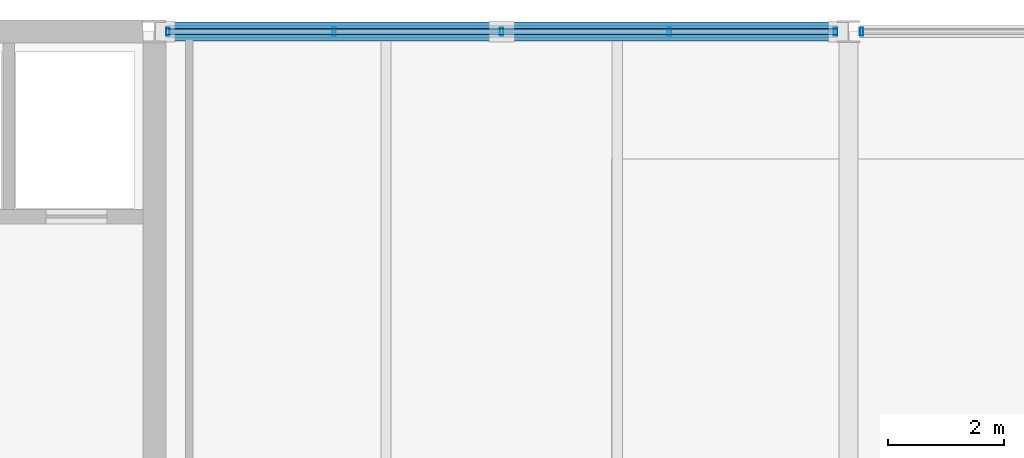
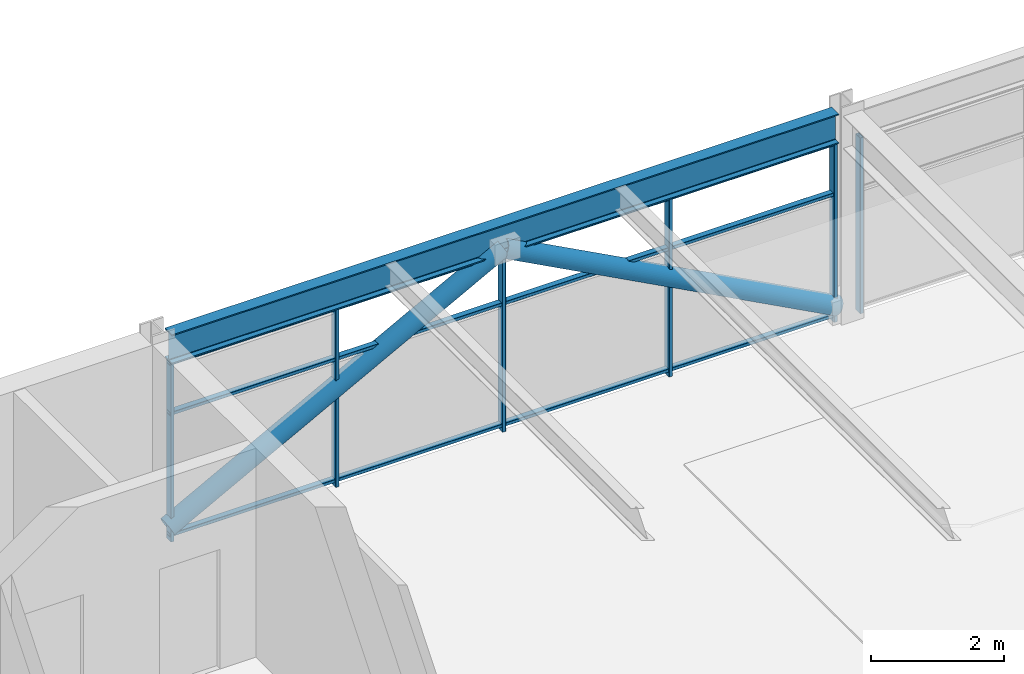
# One storey, part 39 of 52: 11 members, 1 beam, 2 elements without a shape of their own.
"""IFC4 building model written with IfcOpenShell, lengths in metres."""

import ifcopenshell
import ifcopenshell.guid

model = None  # the IFC model being written
_history = None  # IfcOwnerHistory: only IFC2X3 demands one
_inside = {}  # id of a spatial element -> (the spatial element, [elements in it])
_under = {}  # id of a project, library or spatial element -> (it, [spatial elements below it])
_declared = {}  # id of a project -> (the project, [libraries it declares])
_typed = {}  # id of a type object -> (the type object, [elements of that type])
_made_of = {}  # id of a material, layer set ... -> (it, [elements and type objects made of it])


def new_model(schema):
    """Start an empty IFC model of exactly this schema.

    Asked for "IFC4X3", IfcOpenShell would pick the latest addendum, in which some entities
    have other attributes; the version numbers below select the first issue.
    IFC2X3 requires an IfcOwnerHistory on every rooted entity: one is made here for all.
    """
    global model, _history
    if schema == "IFC4X3":
        model = ifcopenshell.file(schema_version=(4, 3, 0, 0))
    else:
        model = ifcopenshell.file(schema=schema)
    _inside.clear()
    _under.clear()
    _declared.clear()
    _typed.clear()
    _made_of.clear()
    _history = None
    if model.schema == "IFC2X3":
        org = make("IfcOrganization", Name="unknown")
        user = make(
            "IfcPersonAndOrganization",
            ThePerson=make("IfcPerson", FamilyName="unknown"),
            TheOrganization=org,
        )
        app = make(
            "IfcApplication",
            ApplicationDeveloper=org,
            Version="unknown",
            ApplicationFullName="unknown",
            ApplicationIdentifier="unknown",
        )
        _history = make(
            "IfcOwnerHistory",
            OwningUser=user,
            OwningApplication=app,
            ChangeAction="ADDED",
            CreationDate=0,
        )
    return model


def make(cls, **values):
    """One entity of the class cls with the attributes given. An attribute that is None is left unset."""
    return model.create_entity(
        cls, **{name: value for name, value in values.items() if value is not None}
    )


def rooted(cls, **values):
    """An entity with a GlobalId (a new one), such as an element, a storey or a relation."""
    return make(cls, GlobalId=ifcopenshell.guid.new(), OwnerHistory=_history, **values)


def si_unit(unit_type, name, prefix=None):
    """IfcSIUnit, for example si_unit("LENGTHUNIT", "METRE", prefix="MILLI")."""
    return make("IfcSIUnit", UnitType=unit_type, Prefix=prefix, Name=name)


def assignment(units):
    """IfcUnitAssignment: the units of a project."""
    return None if units is None else make("IfcUnitAssignment", Units=units)


def point(xyz):
    """IfcCartesianPoint."""
    return None if xyz is None else make("IfcCartesianPoint", Coordinates=xyz)


def direction(xyz):
    """IfcDirection."""
    return None if xyz is None else make("IfcDirection", DirectionRatios=xyz)


def frame(location, z_axis=None, x_axis=None):
    """IfcAxis2Placement3D, a coordinate frame: its origin and axes. An axis left out is left unset."""
    return make(
        "IfcAxis2Placement3D",
        Location=point(location),
        Axis=direction(z_axis),
        RefDirection=direction(x_axis),
    )


def frame_2d(location, x_axis=None):
    """IfcAxis2Placement2D, a coordinate frame in the plane: its origin and x axis."""
    return make(
        "IfcAxis2Placement2D", Location=point(location), RefDirection=direction(x_axis)
    )


def origin():
    """The frame at (0, 0, 0) with its axes left unset."""
    return frame((0.0, 0.0, 0.0))


def origin_2d():
    """The frame at (0, 0) in the plane with its x axis left unset."""
    return frame_2d((0.0, 0.0))


def place(relative_to, where):
    """IfcLocalPlacement: puts the frame where relative to a parent placement (None: the world)."""
    return make(
        "IfcLocalPlacement", PlacementRelTo=relative_to, RelativePlacement=where
    )


def context(
    kind, dimensions, precision=None, world=None, true_north=None, identifier=None
):
    """IfcGeometricRepresentationContext, for example the 3D "Model" context."""
    return make(
        "IfcGeometricRepresentationContext",
        ContextIdentifier=identifier,
        ContextType=kind,
        CoordinateSpaceDimension=dimensions,
        Precision=precision,
        WorldCoordinateSystem=world,
        TrueNorth=true_north,
    )


def subcontext(parent, identifier, kind, view, scale=None):
    """IfcGeometricRepresentationSubContext, for example "Body" below "Model"."""
    return make(
        "IfcGeometricRepresentationSubContext",
        ContextIdentifier=identifier,
        ContextType=kind,
        ParentContext=parent,
        TargetScale=scale,
        TargetView=view,
    )


def project(units=None, contexts=None):
    """IfcProject with its units and contexts."""
    return rooted(
        "IfcProject",
        Name="project",
        RepresentationContexts=contexts,
        UnitsInContext=assignment(units),
    )


def spatial(cls, under=None, at=None, **own):
    """A site, building, storey or space (cls), placed at a placement, below another one or the project."""
    s = rooted(cls, ObjectPlacement=at, **own)
    if under is not None:
        _under.setdefault(under.id(), (under, []))[1].append(s)
    return s


def profile(cls, at=None, kind="AREA", **sizes):
    """A parametric profile (cls). Its sizes go by their IFC names, for example OverallWidth=200.0."""
    return make(cls, ProfileType=kind, Position=at, **sizes)


def hollow_rectangle(**sizes):
    """IfcRectangleHollowProfileDef."""
    return profile("IfcRectangleHollowProfileDef", **sizes)


def hollow_circle(**sizes):
    """IfcCircleHollowProfileDef."""
    return profile("IfcCircleHollowProfileDef", **sizes)


def i_section(**sizes):
    """IfcIShapeProfileDef."""
    return profile("IfcIShapeProfileDef", **sizes)


def extrude(swept, where, along, depth):
    """IfcExtrudedAreaSolid: the profile swept, set in the frame where, extruded along a direction by depth."""
    return make(
        "IfcExtrudedAreaSolid",
        SweptArea=swept,
        Position=where,
        ExtrudedDirection=direction(along),
        Depth=depth,
    )


def shape(context_of_items, identifier, shape_type, items):
    """IfcShapeRepresentation: the items that make up one representation, for example the "Body"."""
    return make(
        "IfcShapeRepresentation",
        ContextOfItems=context_of_items,
        RepresentationIdentifier=identifier,
        RepresentationType=shape_type,
        Items=items,
    )


def material(Name=None, Category=None):
    """IfcMaterial."""
    return make("IfcMaterial", Name=Name, Category=Category)


def material_profile(
    of_material, cross_section, Name=None, Category=None, Priority=None
):
    """IfcMaterialProfile: a cross section and its material."""
    return make(
        "IfcMaterialProfile",
        Name=Name,
        Material=of_material,
        Profile=cross_section,
        Priority=Priority,
        Category=Category,
    )


def profile_set(profiles, Name=None, composite=None):
    """IfcMaterialProfileSet."""
    return make(
        "IfcMaterialProfileSet",
        Name=Name,
        MaterialProfiles=profiles,
        CompositeProfile=composite,
    )


def made_of(thing, what):
    """Note that an element or type object is made of a material, layer set ...; save() writes the relation."""
    if what is not None:
        _made_of.setdefault(what.id(), (what, []))[1].append(thing)
    return thing


def type_object(cls, material=None, **own):
    """A type object (cls), such as IfcWallType, which elements share."""
    return made_of(rooted(cls, **own), material)


def element(
    cls,
    number,
    at=None,
    inside=None,
    cuts=None,
    type_object=None,
    material=None,
    context=None,
    identifier="Body",
    shape_type=None,
    held_by="IfcProductDefinitionShape",
    body=None,
    shapes=None,
    **own,
):
    """One element of the class cls, such as IfcWall. Its Tag is "e" and its number.

    at: its placement. inside: the storey or other place that contains it. cuts: it is an
    opening in that element (IfcRelVoidsElement). A single representation is given by context,
    identifier, shape_type and body (its items); several are given by shapes. held_by: the class
    of the entity that holds the representations. save() writes the other relations.
    """
    e = rooted(cls, Tag="e%d" % number, ObjectPlacement=at, **own)
    if body is not None:
        shapes = [shape(context, identifier, shape_type, body)]
    if shapes is not None:
        e.Representation = make(held_by, Representations=shapes)
    if inside is not None:
        _inside.setdefault(inside.id(), (inside, []))[1].append(e)
    if cuts is not None:
        rooted(
            "IfcRelVoidsElement", RelatingBuildingElement=cuts, RelatedOpeningElement=e
        )
    if type_object is not None:
        _typed.setdefault(type_object.id(), (type_object, []))[1].append(e)
    return made_of(e, material)


def aggregate(whole, parts):
    """IfcRelAggregates: a whole, such as a stair, and the parts it consists of."""
    return rooted("IfcRelAggregates", RelatingObject=whole, RelatedObjects=parts)


def save(model, path):
    """Write the relations noted so far, then the file.

    IfcRelAggregates (storeys below a building ...), IfcRelContainedInSpatialStructure (elements
    in a storey), IfcRelDefinesByType, IfcRelAssociatesMaterial and IfcRelDeclares: one each for
    every whole, place, type object, material and project.
    """
    for whole, parts in _under.values():
        aggregate(whole, parts)
    for where, things in _inside.values():
        rooted(
            "IfcRelContainedInSpatialStructure",
            RelatedElements=things,
            RelatingStructure=where,
        )
    for kind, things in _typed.values():
        rooted("IfcRelDefinesByType", RelatedObjects=things, RelatingType=kind)
    for what, things in _made_of.values():
        rooted("IfcRelAssociatesMaterial", RelatedObjects=things, RelatingMaterial=what)
    for by, libraries in _declared.values():
        rooted("IfcRelDeclares", RelatingContext=by, RelatedDefinitions=libraries)
    model.write(path)


model = new_model("IFC4")

# Units and contexts
model_context = context("Model", 3, precision=1e-05, world=origin(), true_north=direction((0.0, 1.0)))
body_context = subcontext(model_context, "Body", "Model", "MODEL_VIEW")
ifc_project = project(units=[si_unit("LENGTHUNIT", "METRE"), si_unit("AREAUNIT", "SQUARE_METRE"), si_unit("VOLUMEUNIT", "CUBIC_METRE"), si_unit("PLANEANGLEUNIT", "RADIAN"), si_unit("MASSUNIT", "GRAM", prefix="KILO")], contexts=[model_context])

# Site, building, storey
site_placement = place(None, origin())
site = spatial("IfcSite", under=ifc_project, at=site_placement, CompositionType="ELEMENT")
building_placement = place(site_placement, origin())
building = spatial("IfcBuilding", under=site, at=building_placement, Name="Girod Span Mobility Hub", CompositionType="ELEMENT")
storey_placement = place(building_placement, frame((0.0, 0.0, 45.60009765625)))
storey = spatial("IfcBuildingStorey", under=building, at=storey_placement, Name="L11", CompositionType="ELEMENT", Elevation=45.60009765625)

# Beam
ifc_material_1 = material(Name="Steel A992 Grade 50", Category="steel")
ifc_material_profile_1 = material_profile(ifc_material_1, i_section(OverallWidth=0.2119140625, OverallDepth=0.5439453125, WebThickness=0.01318359375, FlangeThickness=0.021240234375, FilletRadius=0.014892578125, at=origin_2d()), Name="W21X83")
ifc_profile_set_1 = profile_set([ifc_material_profile_1], Name="Steel A992 Grade 50")
beam_type = type_object("IfcBeamType", Name="BM-STL-W21X83", PredefinedType="SPANDREL", material=ifc_profile_set_1)
beam_placement = place(storey_placement, frame((120.196533203125, 69.0, 3.56787109375), z_axis=(1.0, 0.0, 0.0), x_axis=(0.0, 1.0, 0.0)))
element("IfcBeam", 1, at=beam_placement, inside=storey, type_object=beam_type, Name="Girder 11-12/F L11", PredefinedType="SPANDREL", context=body_context, shape_type="SweptSolid", body=[
    extrude(i_section(OverallWidth=0.2119140625, OverallDepth=0.5439453125, WebThickness=0.01318359375, FlangeThickness=0.021240234375, FilletRadius=0.014892578125, at=origin_2d()), origin(), (0.0, 0.0, 1.0), 11.609375),
])

# Curtain wall, members
ifc_material_2 = material(Name="Thermally Broken Anodised Aluminium", Category="aluminium")
curtain_wall_type_1 = type_object("IfcCurtainWallType", Name="CW-1161X330", PredefinedType="USERDEFINED", material=ifc_material_2)
curtain_wall_1_placement = place(storey_placement, origin())
curtain_wall_1 = element("IfcCurtainWall", 2, at=curtain_wall_1_placement, inside=storey, type_object=curtain_wall_type_1, Name="Unitised Curtain Wall CW-L11-N11 L11", ObjectType="UNITISED CURTAIN WALL", PredefinedType="USERDEFINED")
ifc_material_3 = material(Name="Thermally Broken Anodised Aluminium", Category="aluminium")
ifc_material_profile_2 = material_profile(ifc_material_3, hollow_rectangle(XDim=0.139892578125, YDim=0.06005859375, WallThickness=0.00341796875, InnerFilletRadius=0.00341796875, OuterFilletRadius=0.007080078125, at=origin_2d()), Name="CW-ML-60X140")
ifc_profile_set_2 = profile_set([ifc_material_profile_2], Name="Thermally Broken Anodised Aluminium")
member_type_1 = type_object("IfcMemberType", Name="CWM-ML-4", PredefinedType="MULLION", material=ifc_profile_set_2)
member_1_placement = place(storey_placement, frame((120.2294921875, 69.0, 0.0), z_axis=(0.0, 0.0, 1.0), x_axis=(0.0, 1.0, 0.0)))
member_1 = element("IfcMember", 3, at=member_1_placement, type_object=member_type_1, Name="Curtain Wall Mullion CW-L11-N11-M0", PredefinedType="MULLION", context=body_context, shape_type="SweptSolid", body=[
    extrude(hollow_rectangle(XDim=0.139892578125, YDim=0.06005859375, WallThickness=0.00341796875, InnerFilletRadius=0.00341796875, OuterFilletRadius=0.007080078125, at=origin_2d()), origin(), (0.0, 0.0, 1.0), 3.2958984375),
])
member_2_placement = place(storey_placement, frame((123.099365234375, 69.0, 0.0), z_axis=(0.0, 0.0, 1.0), x_axis=(0.0, 1.0, 0.0)))
member_2 = element("IfcMember", 4, at=member_2_placement, type_object=member_type_1, Name="Curtain Wall Mullion CW-L11-N11-M1", PredefinedType="MULLION", context=body_context, shape_type="SweptSolid", body=[
    extrude(hollow_rectangle(XDim=0.139892578125, YDim=0.06005859375, WallThickness=0.00341796875, InnerFilletRadius=0.00341796875, OuterFilletRadius=0.007080078125, at=origin_2d()), origin(), (0.0, 0.0, 1.0), 3.2958984375),
])
member_3_placement = place(storey_placement, frame((126.001220703125, 69.0, 0.0), z_axis=(0.0, 0.0, 1.0), x_axis=(0.0, 1.0, 0.0)))
member_3 = element("IfcMember", 5, at=member_3_placement, type_object=member_type_1, Name="Curtain Wall Mullion CW-L11-N11-M2", PredefinedType="MULLION", context=body_context, shape_type="SweptSolid", body=[
    extrude(hollow_rectangle(XDim=0.139892578125, YDim=0.06005859375, WallThickness=0.00341796875, InnerFilletRadius=0.00341796875, OuterFilletRadius=0.007080078125, at=origin_2d()), origin(), (0.0, 0.0, 1.0), 3.2958984375),
])
member_4_placement = place(storey_placement, frame((128.903076171875, 69.0, 0.0), z_axis=(0.0, 0.0, 1.0), x_axis=(0.0, 1.0, 0.0)))
member_4 = element("IfcMember", 6, at=member_4_placement, type_object=member_type_1, Name="Curtain Wall Mullion CW-L11-N11-M3", PredefinedType="MULLION", context=body_context, shape_type="SweptSolid", body=[
    extrude(hollow_rectangle(XDim=0.139892578125, YDim=0.06005859375, WallThickness=0.00341796875, InnerFilletRadius=0.00341796875, OuterFilletRadius=0.007080078125, at=origin_2d()), origin(), (0.0, 0.0, 1.0), 3.2958984375),
])
member_5_placement = place(storey_placement, frame((131.77294921875, 69.0, 0.0), z_axis=(0.0, 0.0, 1.0), x_axis=(0.0, 1.0, 0.0)))
member_5 = element("IfcMember", 7, at=member_5_placement, type_object=member_type_1, Name="Curtain Wall Mullion CW-L11-N11-M4", PredefinedType="MULLION", context=body_context, shape_type="SweptSolid", body=[
    extrude(hollow_rectangle(XDim=0.139892578125, YDim=0.06005859375, WallThickness=0.00341796875, InnerFilletRadius=0.00341796875, OuterFilletRadius=0.007080078125, at=origin_2d()), origin(), (0.0, 0.0, 1.0), 3.2958984375),
])

# Curtain wall, member
ifc_material_4 = material(Name="Thermally Broken Anodised Aluminium", Category="aluminium")
curtain_wall_type_2 = type_object("IfcCurtainWallType", Name="CW-1161X324", PredefinedType="USERDEFINED", material=ifc_material_4)
curtain_wall_2_placement = place(storey_placement, origin())
curtain_wall_2 = element("IfcCurtainWall", 8, at=curtain_wall_2_placement, inside=storey, type_object=curtain_wall_type_2, Name="Unitised Curtain Wall CW-L11-N12 L11", ObjectType="UNITISED CURTAIN WALL", PredefinedType="USERDEFINED")
member_6_placement = place(storey_placement, frame((132.22705078125, 69.0, 0.0), z_axis=(0.0, 0.0, 1.0), x_axis=(0.0, 1.0, 0.0)))
member_6 = element("IfcMember", 9, at=member_6_placement, type_object=member_type_1, Name="Curtain Wall Mullion CW-L11-N12-M0", PredefinedType="MULLION", context=body_context, shape_type="SweptSolid", body=[
    extrude(hollow_rectangle(XDim=0.139892578125, YDim=0.06005859375, WallThickness=0.00341796875, InnerFilletRadius=0.00341796875, OuterFilletRadius=0.007080078125, at=origin_2d()), origin(), (0.0, 0.0, 1.0), 3.23583984375),
])
aggregate(curtain_wall_2, [member_6])

# Member
ifc_material_5 = material(Name="Thermally Broken Anodised Aluminium", Category="aluminium")
ifc_material_profile_3 = material_profile(ifc_material_5, hollow_rectangle(XDim=0.10498046875, YDim=0.06005859375, WallThickness=0.00341796875, InnerFilletRadius=0.00341796875, OuterFilletRadius=0.007080078125, at=origin_2d()), Name="CW-TR-60X105")
ifc_profile_set_3 = profile_set([ifc_material_profile_3], Name="Thermally Broken Anodised Aluminium")
member_type_2 = type_object("IfcMemberType", Name="CWM-TR-4", PredefinedType="USERDEFINED", material=ifc_profile_set_3)
member_7_placement = place(storey_placement, frame((120.197509765625, 69.0, 0.10986328125), z_axis=(1.0, 0.0, 0.0), x_axis=(0.0, 1.0, 0.0)))
member_7 = element("IfcMember", 10, at=member_7_placement, type_object=member_type_2, Name="Curtain Wall Transom CW-L11-N11-T1", ObjectType="TRANSOM", PredefinedType="USERDEFINED", context=body_context, shape_type="SweptSolid", body=[
    extrude(hollow_rectangle(XDim=0.10498046875, YDim=0.06005859375, WallThickness=0.00341796875, InnerFilletRadius=0.00341796875, OuterFilletRadius=0.007080078125, at=origin_2d()), origin(), (0.0, 0.0, 1.0), 11.607421875),
])

member_8_placement = place(storey_placement, frame((120.197509765625, 69.0, 2.343017578125), z_axis=(1.0, 0.0, 0.0), x_axis=(0.0, 1.0, 0.0)))
member_8 = element("IfcMember", 11, at=member_8_placement, type_object=member_type_2, Name="Curtain Wall Transom CW-L11-N11-T2", ObjectType="TRANSOM", PredefinedType="USERDEFINED", context=body_context, shape_type="SweptSolid", body=[
    extrude(hollow_rectangle(XDim=0.10498046875, YDim=0.06005859375, WallThickness=0.00341796875, InnerFilletRadius=0.00341796875, OuterFilletRadius=0.007080078125, at=origin_2d()), origin(), (0.0, 0.0, 1.0), 11.607421875),
])

member_9_placement = place(storey_placement, frame((120.197509765625, 69.0, 3.265869140625), z_axis=(1.0, 0.0, 0.0), x_axis=(0.0, 1.0, 0.0)))
member_9 = element("IfcMember", 12, at=member_9_placement, type_object=member_type_2, Name="Curtain Wall Transom CW-L11-N11-T3", ObjectType="TRANSOM", PredefinedType="USERDEFINED", context=body_context, shape_type="SweptSolid", body=[
    extrude(hollow_rectangle(XDim=0.10498046875, YDim=0.06005859375, WallThickness=0.00341796875, InnerFilletRadius=0.00341796875, OuterFilletRadius=0.007080078125, at=origin_2d()), origin(), (0.0, 0.0, 1.0), 11.607421875),
])

aggregate(curtain_wall_1, [member_1, member_2, member_3, member_4, member_5, member_7, member_8, member_9])

# Members
ifc_material_6 = material(Name="Steel HSS A500 Grade C", Category="steel")
ifc_material_profile_4 = material_profile(ifc_material_6, hollow_circle(Radius=0.162109375, WallThickness=0.01171875, at=origin_2d()), Name="HSS324X12.7")
ifc_profile_set_4 = profile_set([ifc_material_profile_4], Name="Steel HSS A500 Grade C")
member_type_3 = type_object("IfcMemberType", Name="MB-BR-HSS324", PredefinedType="BRACE", material=ifc_profile_set_4)
member_10_placement = place(storey_placement, frame((120.179443359375, 69.0, 0.25), z_axis=(0.882248433273, 0.0, 0.470784135233), x_axis=(0.0, 1.0, 0.0)))
element("IfcMember", 13, at=member_10_placement, inside=storey, type_object=member_type_3, Name="Upper Diagrid Brace 11/F-L L11", PredefinedType="BRACE", context=body_context, shape_type="SweptSolid", body=[
    extrude(hollow_circle(Radius=0.162109375, WallThickness=0.01171875, at=origin_2d()), origin(), (0.0, 0.0, 1.0), 6.597412109375),
])
member_11_placement = place(storey_placement, frame((131.822998046875, 69.0, 0.25), z_axis=(-0.882330411292, 0.0, 0.470630476393), x_axis=(0.0, -1.0, 0.0)))
element("IfcMember", 14, at=member_11_placement, inside=storey, type_object=member_type_3, Name="Upper Diagrid Brace 11/F-R L11", PredefinedType="BRACE", context=body_context, shape_type="SweptSolid", body=[
    extrude(hollow_circle(Radius=0.162109375, WallThickness=0.01171875, at=origin_2d()), origin(), (0.0, 0.0, 1.0), 6.599609375),
])

save(model, "model.ifc")
